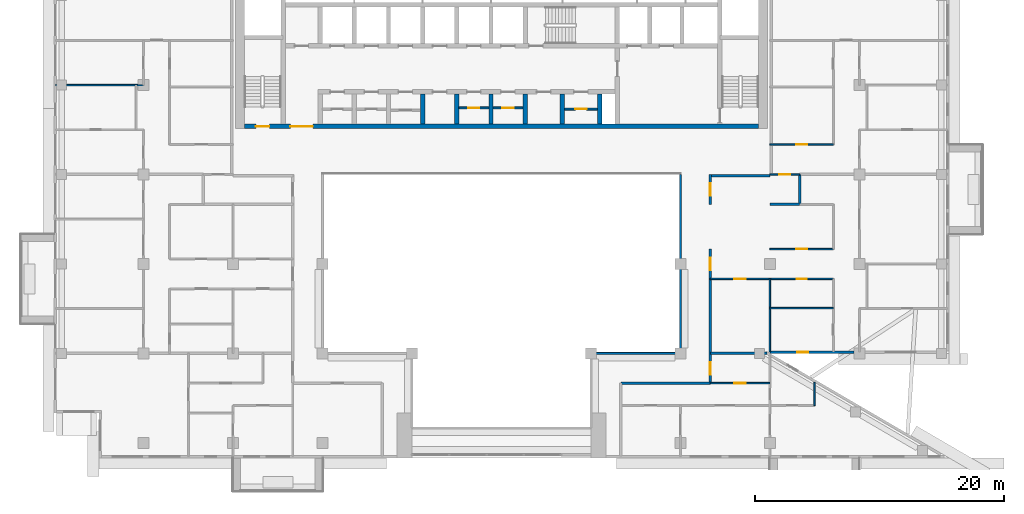
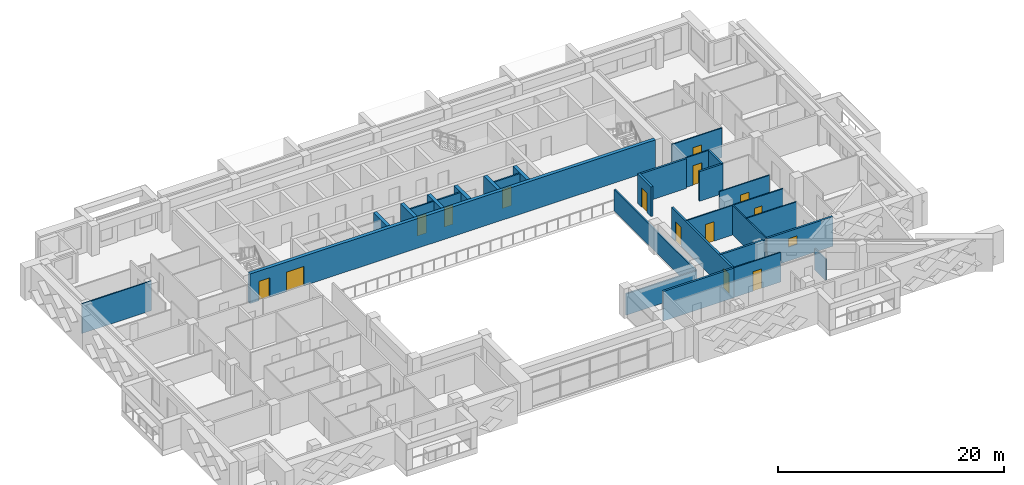
# One storey, part 9 of 20: 29 walls, 14 doors, 1 window, 15 openings.
"""IFC4 building model written with IfcOpenShell, lengths in metres."""

from ifc_helpers import new_model, si_unit, direction, frame, frame_2d, origin, place, context, subcontext, project, spatial, rectangle, extrude, material, layer, layer_set, type_object, element, fill, save


model = new_model("IFC4")

# Units and contexts
model_context = context("Model", 3, precision=1e-05, world=origin(), true_north=direction((0.0, 1.0)))
body_context = subcontext(model_context, "Body", "Model", "MODEL_VIEW")
ifc_project = project(units=[si_unit("LENGTHUNIT", "METRE"), si_unit("AREAUNIT", "SQUARE_METRE"), si_unit("VOLUMEUNIT", "CUBIC_METRE"), si_unit("PLANEANGLEUNIT", "RADIAN"), si_unit("MASSUNIT", "GRAM", prefix="KILO")], contexts=[model_context])

# Site, building, storey
site_placement = place(None, origin())
site = spatial("IfcSite", under=ifc_project, at=site_placement, CompositionType="ELEMENT")
building_placement = place(site_placement, origin())
building = spatial("IfcBuilding", under=site, at=building_placement, Name="Saffron Iwan Residences", CompositionType="ELEMENT")
storey_placement = place(building_placement, frame((0.0, 0.0, 199.0)))
storey = spatial("IfcBuildingStorey", under=building, at=storey_placement, Name="L53", CompositionType="ELEMENT", Elevation=199.0)

# Walls
ifc_material_1 = material(Name="Fire-rated glazing", Category="glass")
ifc_layer_1 = layer(ifc_material_1, 0.14990234375)
ifc_layer_set_1 = layer_set([ifc_layer_1], Name="Fire-rated glazing")
wall_type_1 = type_object("IfcWallType", Name="Atrium glazed screen 150", PredefinedType="SOLIDWALL", material=ifc_layer_set_1)
wall_1_placement = place(storey_placement, frame((57.60009765625, 48.0, 0.0), z_axis=(0.0, 0.0, 1.0), x_axis=(1.0, 0.0, 0.0)))
element("IfcWall", 1, at=wall_1_placement, inside=storey, type_object=wall_type_1, Name="W-L53-SCREEN-h48-57.6", PredefinedType="SOLIDWALL", context=body_context, shape_type="SweptSolid", body=[
    extrude(rectangle(XDim=7.199951171875, YDim=0.14990234375, at=frame_2d((3.60009765625, 0.0))), origin(), (0.0, 0.0, 1.0), 2.300048828125),
])
wall_2_placement = place(storey_placement, frame((64.800048828125, 48.0, 0.0), z_axis=(0.0, 0.0, 1.0), x_axis=(0.0, 1.0, 0.0)))
element("IfcWall", 2, at=wall_2_placement, inside=storey, type_object=wall_type_1, Name="W-L53-SCREEN-v64.8-48", PredefinedType="SOLIDWALL", context=body_context, shape_type="SweptSolid", body=[
    extrude(rectangle(XDim=14.39990234375, YDim=0.14990234375, at=frame_2d((7.199951171875, 0.0))), origin(), (0.0, 0.0, 1.0), 2.300048828125),
])

# Wall, opening, door
ifc_material_2 = material(Name="Fire-rated plasterboard partition")
ifc_layer_2 = layer(ifc_material_2, 0.14990234375)
ifc_layer_set_2 = layer_set([ifc_layer_2], Name="Fire-rated plasterboard partition")
wall_type_2 = type_object("IfcWallType", Name="Core partition 150", PredefinedType="PARTITIONING", material=ifc_layer_set_2)
wall_3_placement = place(storey_placement, frame((46.97509765625, 67.759521484375, 0.0), z_axis=(0.0, 0.0, 1.0), x_axis=(1.0, 0.0, 0.0)))
wall_3 = element("IfcWall", 3, at=wall_3_placement, inside=storey, type_object=wall_type_2, Name="Core partition P04", PredefinedType="PARTITIONING", context=body_context, shape_type="SweptSolid", body=[
    extrude(rectangle(XDim=2.39990234375, YDim=0.14990234375, at=frame_2d((1.199951171875, 0.0))), origin(), (0.0, 0.0, 1.0), 3.199951171875),
])
opening_1_placement = place(wall_3_placement, frame((0.75, 0.0, 0.0)))
opening_1 = element("IfcOpeningElement", 4, at=opening_1_placement, cuts=wall_3, Name="Opening SB", PredefinedType="OPENING", context=body_context, shape_type="SweptSolid", body=[
    extrude(rectangle(XDim=0.89990234375, YDim=2.10009765625, at=frame_2d((0.449951171875, 1.050048828125))), frame((0.0, 0.0849609375, 0.0), z_axis=(0.0, -1.0, 0.0), x_axis=(1.0, 0.0, 0.0)), (0.0, 0.0, 1.0), 0.169921875),
])
ifc_material_3 = material(Name="Steel fire door", Category="steel")
door_type_1 = type_object("IfcDoorType", Name="Store door 900", OperationType="NOTDEFINED", PredefinedType="DOOR", material=ifc_material_3)
door_1_placement = place(opening_1_placement, origin())
door_1 = element("IfcDoor", 5, at=door_1_placement, inside=storey, type_object=door_type_1, Name="Door Tool store", OperationType="SINGLE_SWING_LEFT", OverallHeight=2.10009765625, OverallWidth=0.89990234375, PredefinedType="DOOR", context=body_context, shape_type="SweptSolid", body=[
    extrude(rectangle(XDim=0.89990234375, YDim=2.10009765625, at=frame_2d((0.449951171875, 1.050048828125))), frame((0.0, 0.02490234375, 0.0), z_axis=(0.0, -1.0, 0.0), x_axis=(1.0, 0.0, 0.0)), (0.0, 0.0, 1.0), 0.050048828125),
])
fill(opening_1, door_1)

wall_4_placement = place(storey_placement, frame((49.72509765625, 67.759521484375, 0.0), z_axis=(0.0, 0.0, 1.0), x_axis=(1.0, 0.0, 0.0)))
wall_4 = element("IfcWall", 6, at=wall_4_placement, inside=storey, type_object=wall_type_2, Name="Core partition P05", PredefinedType="PARTITIONING", context=body_context, shape_type="SweptSolid", body=[
    extrude(rectangle(XDim=2.39990234375, YDim=0.14990234375, at=frame_2d((1.199951171875, 0.0))), origin(), (0.0, 0.0, 1.0), 3.199951171875),
])
opening_2_placement = place(wall_4_placement, frame((0.75, 0.0, 0.0)))
opening_2 = element("IfcOpeningElement", 7, at=opening_2_placement, cuts=wall_4, Name="Opening SB", PredefinedType="OPENING", context=body_context, shape_type="SweptSolid", body=[
    extrude(rectangle(XDim=0.89990234375, YDim=2.10009765625, at=frame_2d((0.449951171875, 1.050048828125))), frame((0.0, 0.0849609375, 0.0), z_axis=(0.0, -1.0, 0.0), x_axis=(1.0, 0.0, 0.0)), (0.0, 0.0, 1.0), 0.169921875),
])
door_2_placement = place(opening_2_placement, origin())
door_2 = element("IfcDoor", 8, at=door_2_placement, inside=storey, type_object=door_type_1, Name="Door Cabling room", OperationType="SINGLE_SWING_RIGHT", OverallHeight=2.10009765625, OverallWidth=0.89990234375, PredefinedType="DOOR", context=body_context, shape_type="SweptSolid", body=[
    extrude(rectangle(XDim=0.89990234375, YDim=2.10009765625, at=frame_2d((0.449951171875, 1.050048828125))), frame((0.0, 0.02490234375, 0.0), z_axis=(0.0, -1.0, 0.0), x_axis=(1.0, 0.0, 0.0)), (0.0, 0.0, 1.0), 0.050048828125),
])
fill(opening_2, door_2)

wall_5_placement = place(storey_placement, frame((55.47509765625, 67.66259765625, 0.0), z_axis=(0.0, 0.0, 1.0), x_axis=(1.0, 0.0, 0.0)))
wall_5 = element("IfcWall", 9, at=wall_5_placement, inside=storey, type_object=wall_type_2, Name="Core partition P06", PredefinedType="PARTITIONING", context=body_context, shape_type="SweptSolid", body=[
    extrude(rectangle(XDim=2.64990234375, YDim=0.14990234375, at=frame_2d((1.324951171875, 0.0))), origin(), (0.0, 0.0, 1.0), 3.199951171875),
])
opening_3_placement = place(wall_5_placement, frame((0.875, 0.0, 0.0)))
opening_3 = element("IfcOpeningElement", 10, at=opening_3_placement, cuts=wall_5, Name="Opening SB", PredefinedType="OPENING", context=body_context, shape_type="SweptSolid", body=[
    extrude(rectangle(XDim=0.89990234375, YDim=2.10009765625, at=frame_2d((0.449951171875, 1.050048828125))), frame((0.0, 0.0849609375, 0.0), z_axis=(0.0, -1.0, 0.0), x_axis=(1.0, 0.0, 0.0)), (0.0, 0.0, 1.0), 0.169921875),
])
door_3_placement = place(opening_3_placement, origin())
door_3 = element("IfcDoor", 11, at=door_3_placement, inside=storey, type_object=door_type_1, Name="Door Records store", OperationType="SINGLE_SWING_LEFT", OverallHeight=2.10009765625, OverallWidth=0.89990234375, PredefinedType="DOOR", context=body_context, shape_type="SweptSolid", body=[
    extrude(rectangle(XDim=0.89990234375, YDim=2.10009765625, at=frame_2d((0.449951171875, 1.050048828125))), frame((0.0, 0.02490234375, 0.0), z_axis=(0.0, -1.0, 0.0), x_axis=(1.0, 0.0, 0.0)), (0.0, 0.0, 1.0), 0.050048828125),
])
fill(opening_3, door_3)

# Wall, opening, window
ifc_material_4 = material(Name="Concrete C40/50", Category="concrete")
ifc_layer_3 = layer(ifc_material_4, 0.199951171875)
ifc_layer_set_3 = layer_set([ifc_layer_3], Name="Concrete C40/50")
wall_type_3 = type_object("IfcWallType", Name="EXTERNAL WALL 200", PredefinedType="SOLIDWALL", material=ifc_layer_set_3)
wall_6_placement = place(storey_placement, frame((71.989990234375, 48.10009765625, 0.0), z_axis=(0.0, 0.0, 1.0), x_axis=(1.0, 0.0, 0.0)))
wall_6 = element("IfcWall", 12, at=wall_6_placement, inside=storey, type_object=wall_type_3, Name="External wall L53 F1.0", PredefinedType="SOLIDWALL", context=body_context, shape_type="SweptSolid", body=[
    extrude(rectangle(XDim=6.760009765625, YDim=0.199951171875, at=frame_2d((3.3798828125, 0.0))), origin(), (0.0, 0.0, 1.0), 3.199951171875),
])
opening_4_placement = place(wall_6_placement, frame((2.204833984375, 0.0, 1.5)))
opening_4 = element("IfcOpeningElement", 13, at=opening_4_placement, cuts=wall_6, Name="Opening W6", PredefinedType="OPENING", context=body_context, shape_type="SweptSolid", body=[
    extrude(rectangle(XDim=0.89990234375, YDim=0.89990234375, at=frame_2d((0.449951171875, 0.449951171875))), frame((0.0, 0.10986328125, 0.0), z_axis=(0.0, -1.0, 0.0), x_axis=(1.0, 0.0, 0.0)), (0.0, 0.0, 1.0), 0.219970703125),
])
ifc_material_5 = material(Name="Clear glass, laminated double glazed", Category="glass")
window_type = type_object("IfcWindowType", Name="WINDOW 900 x 900 BATH", PartitioningType="SINGLE_PANEL", PredefinedType="WINDOW", material=ifc_material_5)
window_placement = place(opening_4_placement, origin())
window = element("IfcWindow", 14, at=window_placement, inside=storey, type_object=window_type, Name="Window L53 F1.0", OverallHeight=0.89990234375, OverallWidth=0.89990234375, PartitioningType="SINGLE_PANEL", PredefinedType="WINDOW", context=body_context, shape_type="SweptSolid", body=[
    extrude(rectangle(XDim=0.89990234375, YDim=0.89990234375, at=frame_2d((0.449951171875, 0.449951171875))), frame((0.0, 0.030029296875, 0.0), z_axis=(0.0, -1.0, 0.0), x_axis=(1.0, 0.0, 0.0)), (0.0, 0.0, 1.0), 0.06005859375),
])
fill(opening_4, window)

# Walls
ifc_material_6 = material(Name="Fire-rated gypsum board wall")
ifc_layer_4 = layer(ifc_material_6, 0.199951171875)
ifc_layer_set_4 = layer_set([ifc_layer_4], Name="Fire-rated gypsum board wall")
wall_type_4 = type_object("IfcWallType", Name="Flat demising wall 200", PredefinedType="SOLIDWALL", material=ifc_layer_set_4)
wall_7_placement = place(storey_placement, frame((67.199951171875, 48.0, 0.0), z_axis=(0.0, 0.0, 1.0), x_axis=(1.0, 0.0, 0.0)))
element("IfcWall", 15, at=wall_7_placement, inside=storey, type_object=wall_type_4, Name="W-L53-DEMISE-h48-67.2", PredefinedType="SOLIDWALL", context=body_context, shape_type="SweptSolid", body=[
    extrude(rectangle(XDim=4.552001953125, YDim=0.199951171875, at=frame_2d((2.27587890625, 0.0))), origin(), (0.0, 0.0, 1.0), 3.199951171875),
])
for number, where, z_axis, x_axis, name in (
    (16, (72.0, 60.0, 0.0), (0.0, 0.0, 1.0), (1.0, 0.0, 0.0), "W-L53-DEMISE-h60-72"),
    (17, (74.39990234375, 60.0, 0.0), (0.0, 0.0, 1.0), (0.0, 1.0, 0.0), "W-L53-DEMISE-v74.4-60"),
):
    element("IfcWall", number, at=place(storey_placement, frame(where, z_axis=z_axis, x_axis=x_axis)), inside=storey, type_object=wall_type_4, Name=name, PredefinedType="SOLIDWALL", context=body_context, shape_type="SweptSolid", body=[
        extrude(rectangle(XDim=2.39990234375, YDim=0.199951171875, at=frame_2d((1.199951171875, 0.0))), origin(), (0.0, 0.0, 1.0), 3.199951171875),
    ])

# Wall, opening, door
ifc_material_7 = material(Name="Gypsum board partition")
ifc_layer_5 = layer(ifc_material_7, 0.1201171875)
ifc_layer_set_5 = layer_set([ifc_layer_5], Name="Gypsum board partition")
wall_type_5 = type_object("IfcWallType", Name="Flat partition 120", PredefinedType="PARTITIONING", material=ifc_layer_set_5)
wall_8_placement = place(storey_placement, frame((67.199951171875, 45.60009765625, 0.0), z_axis=(0.0, 0.0, 1.0), x_axis=(1.0, 0.0, 0.0)))
wall_8 = element("IfcWall", 18, at=wall_8_placement, inside=storey, type_object=wall_type_5, Name="W-L53-PART-h45.6-67.2", PredefinedType="PARTITIONING", context=body_context, shape_type="SweptSolid", body=[
    extrude(rectangle(XDim=4.800048828125, YDim=0.1201171875, at=frame_2d((2.39990234375, 0.0))), origin(), (0.0, 0.0, 1.0), 3.199951171875),
])
opening_5_placement = place(wall_8_placement, frame((1.949951171875, 0.0, 0.0)))
opening_5 = element("IfcOpeningElement", 19, at=opening_5_placement, cuts=wall_8, Name="Opening FD2", PredefinedType="OPENING", context=body_context, shape_type="SweptSolid", body=[
    extrude(rectangle(XDim=0.89990234375, YDim=2.10009765625, at=frame_2d((0.449951171875, 1.050048828125))), frame((0.0, 0.070068359375, 0.0), z_axis=(0.0, -1.0, 0.0), x_axis=(1.0, 0.0, 0.0)), (0.0, 0.0, 1.0), 0.14013671875),
])
ifc_material_8 = material(Name="Timber door", Category="wood")
door_type_2 = type_object("IfcDoorType", Name="Flat door 900", OperationType="NOTDEFINED", PredefinedType="DOOR", material=ifc_material_8)
door_4_placement = place(opening_5_placement, origin())
door_4 = element("IfcDoor", 20, at=door_4_placement, inside=storey, type_object=door_type_2, Name="Door L53-041", OperationType="SINGLE_SWING_RIGHT", OverallHeight=2.10009765625, OverallWidth=0.89990234375, PredefinedType="DOOR", context=body_context, shape_type="SweptSolid", body=[
    extrude(rectangle(XDim=0.89990234375, YDim=2.10009765625, at=frame_2d((0.449951171875, 1.050048828125))), frame((0.0, 0.02490234375, 0.0), z_axis=(0.0, -1.0, 0.0), x_axis=(1.0, 0.0, 0.0)), (0.0, 0.0, 1.0), 0.050048828125),
])
fill(opening_5, door_4)

# Wall
wall_9_placement = place(storey_placement, frame((72.0, 51.64990234375, 0.0), z_axis=(0.0, 0.0, 1.0), x_axis=(1.0, 0.0, 0.0)))
element("IfcWall", 21, at=wall_9_placement, inside=storey, type_object=wall_type_5, Name="W-L53-PART-h51.65-72", PredefinedType="PARTITIONING", context=body_context, shape_type="SweptSolid", body=[
    extrude(rectangle(XDim=5.10009765625, YDim=0.1201171875, at=frame_2d((2.550048828125, 0.0))), origin(), (0.0, 0.0, 1.0), 3.199951171875),
])

# Wall, openings, doors
wall_10_placement = place(storey_placement, frame((67.199951171875, 54.0, 0.0), z_axis=(0.0, 0.0, 1.0), x_axis=(1.0, 0.0, 0.0)))
wall_10 = element("IfcWall", 22, at=wall_10_placement, inside=storey, type_object=wall_type_5, Name="W-L53-PART-h54-67.2", PredefinedType="PARTITIONING", context=body_context, shape_type="SweptSolid", body=[
    extrude(rectangle(XDim=9.900146484375, YDim=0.1201171875, at=frame_2d((4.9501953125, 0.0))), origin(), (0.0, 0.0, 1.0), 3.199951171875),
])
opening_6_placement = place(wall_10_placement, frame((6.949951171875, 0.0, 0.0)))
opening_6 = element("IfcOpeningElement", 23, at=opening_6_placement, cuts=wall_10, Name="Opening FD3", PredefinedType="OPENING", context=body_context, shape_type="SweptSolid", body=[
    extrude(rectangle(XDim=0.800048828125, YDim=2.10009765625, at=frame_2d((0.39990234375, 1.050048828125))), frame((0.0, 0.070068359375, 0.0), z_axis=(0.0, -1.0, 0.0), x_axis=(1.0, 0.0, 0.0)), (0.0, 0.0, 1.0), 0.14013671875),
])
opening_7_placement = place(wall_10_placement, frame((1.949951171875, 0.0, 0.0)))
opening_7 = element("IfcOpeningElement", 24, at=opening_7_placement, cuts=wall_10, Name="Opening FD2", PredefinedType="OPENING", context=body_context, shape_type="SweptSolid", body=[
    extrude(rectangle(XDim=0.89990234375, YDim=2.10009765625, at=frame_2d((0.449951171875, 1.050048828125))), frame((0.0, 0.070068359375, 0.0), z_axis=(0.0, -1.0, 0.0), x_axis=(1.0, 0.0, 0.0)), (0.0, 0.0, 1.0), 0.14013671875),
])
door_type_3 = type_object("IfcDoorType", Name="Bathroom door 800", OperationType="NOTDEFINED", PredefinedType="DOOR", material=ifc_material_8)
door_5_placement = place(opening_6_placement, origin())
door_5 = element("IfcDoor", 25, at=door_5_placement, inside=storey, type_object=door_type_3, Name="Door L53-021", OperationType="SINGLE_SWING_LEFT", OverallHeight=2.10009765625, OverallWidth=0.800048828125, PredefinedType="DOOR", context=body_context, shape_type="SweptSolid", body=[
    extrude(rectangle(XDim=0.800048828125, YDim=2.10009765625, at=frame_2d((0.39990234375, 1.050048828125))), frame((0.0, 0.02490234375, 0.0), z_axis=(0.0, -1.0, 0.0), x_axis=(1.0, 0.0, 0.0)), (0.0, 0.0, 1.0), 0.050048828125),
])
fill(opening_6, door_5)
door_6_placement = place(opening_7_placement, origin())
door_6 = element("IfcDoor", 26, at=door_6_placement, inside=storey, type_object=door_type_2, Name="Door L53-023", OperationType="SINGLE_SWING_RIGHT", OverallHeight=2.10009765625, OverallWidth=0.89990234375, PredefinedType="DOOR", context=body_context, shape_type="SweptSolid", body=[
    extrude(rectangle(XDim=0.89990234375, YDim=2.10009765625, at=frame_2d((0.449951171875, 1.050048828125))), frame((0.0, 0.02490234375, 0.0), z_axis=(0.0, -1.0, 0.0), x_axis=(1.0, 0.0, 0.0)), (0.0, 0.0, 1.0), 0.050048828125),
])
fill(opening_7, door_6)

# Wall, opening, door
wall_11_placement = place(storey_placement, frame((72.0, 56.39990234375, 0.0), z_axis=(0.0, 0.0, 1.0), x_axis=(1.0, 0.0, 0.0)))
wall_11 = element("IfcWall", 27, at=wall_11_placement, inside=storey, type_object=wall_type_5, Name="W-L53-PART-h56.4-72", PredefinedType="PARTITIONING", context=body_context, shape_type="SweptSolid", body=[
    extrude(rectangle(XDim=5.10009765625, YDim=0.1201171875, at=frame_2d((2.550048828125, 0.0))), origin(), (0.0, 0.0, 1.0), 3.199951171875),
])
opening_8_placement = place(wall_11_placement, frame((2.10009765625, 0.0, 0.0)))
opening_8 = element("IfcOpeningElement", 28, at=opening_8_placement, cuts=wall_11, Name="Opening FD2", PredefinedType="OPENING", context=body_context, shape_type="SweptSolid", body=[
    extrude(rectangle(XDim=0.89990234375, YDim=2.10009765625, at=frame_2d((0.449951171875, 1.050048828125))), frame((0.0, 0.070068359375, 0.0), z_axis=(0.0, -1.0, 0.0), x_axis=(1.0, 0.0, 0.0)), (0.0, 0.0, 1.0), 0.14013671875),
])
door_7_placement = place(opening_8_placement, origin())
door_7 = element("IfcDoor", 29, at=door_7_placement, inside=storey, type_object=door_type_2, Name="Door L53-022", OperationType="SINGLE_SWING_LEFT", OverallHeight=2.10009765625, OverallWidth=0.89990234375, PredefinedType="DOOR", context=body_context, shape_type="SweptSolid", body=[
    extrude(rectangle(XDim=0.89990234375, YDim=2.10009765625, at=frame_2d((0.449951171875, 1.050048828125))), frame((0.0, 0.02490234375, 0.0), z_axis=(0.0, -1.0, 0.0), x_axis=(1.0, 0.0, 0.0)), (0.0, 0.0, 1.0), 0.050048828125),
])
fill(opening_8, door_7)

wall_12_placement = place(storey_placement, frame((72.0, 62.39990234375, 0.0), z_axis=(0.0, 0.0, 1.0), x_axis=(1.0, 0.0, 0.0)))
wall_12 = element("IfcWall", 30, at=wall_12_placement, inside=storey, type_object=wall_type_5, Name="W-L53-PART-h62.4-72", PredefinedType="PARTITIONING", context=body_context, shape_type="SweptSolid", body=[
    extrude(rectangle(XDim=2.39990234375, YDim=0.1201171875, at=frame_2d((1.199951171875, 0.0))), origin(), (0.0, 0.0, 1.0), 3.199951171875),
])
opening_9_placement = place(wall_12_placement, frame((0.75, 0.0, 0.0)))
opening_9 = element("IfcOpeningElement", 31, at=opening_9_placement, cuts=wall_12, Name="Opening FD2", PredefinedType="OPENING", context=body_context, shape_type="SweptSolid", body=[
    extrude(rectangle(XDim=0.89990234375, YDim=2.10009765625, at=frame_2d((0.449951171875, 1.050048828125))), frame((0.0, 0.070068359375, 0.0), z_axis=(0.0, -1.0, 0.0), x_axis=(1.0, 0.0, 0.0)), (0.0, 0.0, 1.0), 0.14013671875),
])
door_8_placement = place(opening_9_placement, origin())
door_8 = element("IfcDoor", 32, at=door_8_placement, inside=storey, type_object=door_type_2, Name="Door L53-032", OperationType="SINGLE_SWING_RIGHT", OverallHeight=2.10009765625, OverallWidth=0.89990234375, PredefinedType="DOOR", context=body_context, shape_type="SweptSolid", body=[
    extrude(rectangle(XDim=0.89990234375, YDim=2.10009765625, at=frame_2d((0.449951171875, 1.050048828125))), frame((0.0, 0.02490234375, 0.0), z_axis=(0.0, -1.0, 0.0), x_axis=(1.0, 0.0, 0.0)), (0.0, 0.0, 1.0), 0.050048828125),
])
fill(opening_9, door_8)

wall_13_placement = place(storey_placement, frame((72.0, 64.800048828125, 0.0), z_axis=(0.0, 0.0, 1.0), x_axis=(1.0, 0.0, 0.0)))
wall_13 = element("IfcWall", 33, at=wall_13_placement, inside=storey, type_object=wall_type_5, Name="W-L53-PART-h64.8-72", PredefinedType="PARTITIONING", context=body_context, shape_type="SweptSolid", body=[
    extrude(rectangle(XDim=5.10009765625, YDim=0.1201171875, at=frame_2d((2.550048828125, 0.0))), origin(), (0.0, 0.0, 1.0), 3.199951171875),
])
opening_10_placement = place(wall_13_placement, frame((2.10009765625, 0.0, 0.0)))
opening_10 = element("IfcOpeningElement", 34, at=opening_10_placement, cuts=wall_13, Name="Opening FD2", PredefinedType="OPENING", context=body_context, shape_type="SweptSolid", body=[
    extrude(rectangle(XDim=0.89990234375, YDim=2.10009765625, at=frame_2d((0.449951171875, 1.050048828125))), frame((0.0, 0.070068359375, 0.0), z_axis=(0.0, -1.0, 0.0), x_axis=(1.0, 0.0, 0.0)), (0.0, 0.0, 1.0), 0.14013671875),
])
door_9_placement = place(opening_10_placement, origin())
door_9 = element("IfcDoor", 35, at=door_9_placement, inside=storey, type_object=door_type_2, Name="Door L53-038", OperationType="SINGLE_SWING_RIGHT", OverallHeight=2.10009765625, OverallWidth=0.89990234375, PredefinedType="DOOR", context=body_context, shape_type="SweptSolid", body=[
    extrude(rectangle(XDim=0.89990234375, YDim=2.10009765625, at=frame_2d((0.449951171875, 1.050048828125))), frame((0.0, 0.02490234375, 0.0), z_axis=(0.0, -1.0, 0.0), x_axis=(1.0, 0.0, 0.0)), (0.0, 0.0, 1.0), 0.050048828125),
])
fill(opening_10, door_9)

# Walls
wall_14_placement = place(storey_placement, frame((14.52490234375, 69.60009765625, 0.0), z_axis=(0.0, 0.0, 1.0), x_axis=(1.0, 0.0, 0.0)))
element("IfcWall", 36, at=wall_14_placement, inside=storey, type_object=wall_type_5, Name="W-L53-PART-h69.6-14.525", PredefinedType="PARTITIONING", context=body_context, shape_type="SweptSolid", body=[
    extrude(rectangle(XDim=7.0751953125, YDim=0.1201171875, at=frame_2d((3.53759765625, 0.0))), origin(), (0.0, 0.0, 1.0), 3.199951171875),
])
wall_15_placement = place(storey_placement, frame((72.0, 48.125, 0.0), z_axis=(0.0, 0.0, 1.0), x_axis=(0.0, 1.0, 0.0)))
element("IfcWall", 37, at=wall_15_placement, inside=storey, type_object=wall_type_5, Name="W-L53-PART-v72-48.125", PredefinedType="PARTITIONING", context=body_context, shape_type="SweptSolid", body=[
    extrude(rectangle(XDim=5.875, YDim=0.1201171875, at=frame_2d((2.9375, 0.0))), origin(), (0.0, 0.0, 1.0), 3.199951171875),
])
wall_16_placement = place(storey_placement, frame((75.60009765625, 43.800048828125, 0.0), z_axis=(0.0, 0.0, 1.0), x_axis=(0.0, 1.0, 0.0)))
element("IfcWall", 38, at=wall_16_placement, inside=storey, type_object=wall_type_5, Name="W-L53-PART-v75.6-43.8", PredefinedType="PARTITIONING", context=body_context, shape_type="SweptSolid", body=[
    extrude(rectangle(XDim=1.868408203125, YDim=0.1201171875, at=frame_2d((0.93408203125, 0.0))), origin(), (0.0, 0.0, 1.0), 2.300048828125),
])
ifc_layer_6 = layer(ifc_material_6, 0.199951171875)
ifc_layer_set_6 = layer_set([ifc_layer_6], Name="Fire-rated gypsum board wall")
wall_type_6 = type_object("IfcWallType", Name="Gallery wall 200", PredefinedType="SOLIDWALL", material=ifc_layer_set_6)
wall_17_placement = place(storey_placement, frame((60.0, 45.60009765625, 0.0), z_axis=(0.0, 0.0, 1.0), x_axis=(1.0, 0.0, 0.0)))
element("IfcWall", 39, at=wall_17_placement, inside=storey, type_object=wall_type_6, Name="W-L53-CORR-h45.6-60", PredefinedType="SOLIDWALL", context=body_context, shape_type="SweptSolid", body=[
    extrude(rectangle(XDim=7.199951171875, YDim=0.199951171875, at=frame_2d((3.60009765625, 0.0))), origin(), (0.0, 0.0, 1.0), 3.199951171875),
])
wall_18_placement = place(storey_placement, frame((67.199951171875, 62.300048828125, 0.0), z_axis=(0.0, 0.0, 1.0), x_axis=(1.0, 0.0, 0.0)))
element("IfcWall", 40, at=wall_18_placement, inside=storey, type_object=wall_type_6, Name="W-L53-CORR-h62.4-67.2", PredefinedType="SOLIDWALL", context=body_context, shape_type="SweptSolid", body=[
    extrude(rectangle(XDim=4.800048828125, YDim=0.199951171875, at=frame_2d((2.39990234375, 0.0))), origin(), (0.0, 0.0, 1.0), 3.199951171875),
])

# Wall, openings, doors
wall_19_placement = place(storey_placement, frame((67.199951171875, 45.60009765625, 0.0), z_axis=(0.0, 0.0, 1.0), x_axis=(0.0, 1.0, 0.0)))
wall_19 = element("IfcWall", 41, at=wall_19_placement, inside=storey, type_object=wall_type_6, Name="W-L53-CORR-v67.2-45.6", PredefinedType="SOLIDWALL", context=body_context, shape_type="SweptSolid", body=[
    extrude(rectangle(XDim=10.7998046875, YDim=0.199951171875, at=frame_2d((5.39990234375, 0.0))), origin(), (0.0, 0.0, 1.0), 3.199951171875),
])
opening_11_placement = place(wall_19_placement, frame((9.10009765625, 0.0, 0.0)))
opening_11 = element("IfcOpeningElement", 42, at=opening_11_placement, cuts=wall_19, Name="Opening FD1", PredefinedType="OPENING", context=body_context, shape_type="SweptSolid", body=[
    extrude(rectangle(XDim=1.0, YDim=2.10009765625, at=frame_2d((0.5, 1.050048828125))), frame((0.0, 0.10986328125, 0.0), z_axis=(0.0, -1.0, 0.0), x_axis=(1.0, 0.0, 0.0)), (0.0, 0.0, 1.0), 0.219970703125),
])
opening_12_placement = place(wall_19_placement, frame((0.699951171875, 0.0, 0.0)))
opening_12 = element("IfcOpeningElement", 43, at=opening_12_placement, cuts=wall_19, Name="Opening FD5", PredefinedType="OPENING", context=body_context, shape_type="SweptSolid", body=[
    extrude(rectangle(XDim=1.0, YDim=2.10009765625, at=frame_2d((0.5, 1.050048828125))), frame((0.0, 0.10986328125, 0.0), z_axis=(0.0, -1.0, 0.0), x_axis=(1.0, 0.0, 0.0)), (0.0, 0.0, 1.0), 0.219970703125),
])
ifc_material_9 = material(Name="Fire-rated timber door", Category="wood")
door_type_4 = type_object("IfcDoorType", Name="FD30S flat entrance door 1000", OperationType="NOTDEFINED", PredefinedType="DOOR", material=ifc_material_9)
door_10_placement = place(opening_11_placement, origin())
door_10 = element("IfcDoor", 44, at=door_10_placement, inside=storey, type_object=door_type_4, Name="Door L53-016", OperationType="SINGLE_SWING_LEFT", OverallHeight=2.10009765625, OverallWidth=1.0, PredefinedType="DOOR", context=body_context, shape_type="SweptSolid", body=[
    extrude(rectangle(XDim=1.0, YDim=2.10009765625, at=frame_2d((0.5, 1.050048828125))), frame((0.0, 0.02490234375, 0.0), z_axis=(0.0, -1.0, 0.0), x_axis=(1.0, 0.0, 0.0)), (0.0, 0.0, 1.0), 0.050048828125),
])
fill(opening_11, door_10)
door_type_5 = type_object("IfcDoorType", Name="Lobby door 1000", OperationType="NOTDEFINED", PredefinedType="DOOR", material=ifc_material_9)
door_11_placement = place(opening_12_placement, origin())
door_11 = element("IfcDoor", 45, at=door_11_placement, inside=storey, type_object=door_type_5, Name="Door L53-042", OperationType="SINGLE_SWING_LEFT", OverallHeight=2.10009765625, OverallWidth=1.0, PredefinedType="DOOR", context=body_context, shape_type="SweptSolid", body=[
    extrude(rectangle(XDim=1.0, YDim=2.10009765625, at=frame_2d((0.5, 1.050048828125))), frame((0.0, 0.02490234375, 0.0), z_axis=(0.0, -1.0, 0.0), x_axis=(1.0, 0.0, 0.0)), (0.0, 0.0, 1.0), 0.050048828125),
])
fill(opening_12, door_11)

# Wall, opening, door
wall_20_placement = place(storey_placement, frame((67.199951171875, 60.0, 0.0), z_axis=(0.0, 0.0, 1.0), x_axis=(0.0, 1.0, 0.0)))
wall_20 = element("IfcWall", 46, at=wall_20_placement, inside=storey, type_object=wall_type_6, Name="W-L53-CORR-v67.2-60", PredefinedType="SOLIDWALL", context=body_context, shape_type="SweptSolid", body=[
    extrude(rectangle(XDim=2.39990234375, YDim=0.199951171875, at=frame_2d((1.199951171875, 0.0))), origin(), (0.0, 0.0, 1.0), 3.199951171875),
])
opening_13_placement = place(wall_20_placement, frame((0.699951171875, 0.0, 0.0)))
opening_13 = element("IfcOpeningElement", 47, at=opening_13_placement, cuts=wall_20, Name="Opening FD5", PredefinedType="OPENING", context=body_context, shape_type="SweptSolid", body=[
    extrude(rectangle(XDim=1.0, YDim=2.10009765625, at=frame_2d((0.5, 1.050048828125))), frame((0.0, 0.10986328125, 0.0), z_axis=(0.0, -1.0, 0.0), x_axis=(1.0, 0.0, 0.0)), (0.0, 0.0, 1.0), 0.219970703125),
])
door_12_placement = place(opening_13_placement, origin())
door_12 = element("IfcDoor", 48, at=door_12_placement, inside=storey, type_object=door_type_5, Name="Door L53-033", OperationType="SINGLE_SWING_LEFT", OverallHeight=2.10009765625, OverallWidth=1.0, PredefinedType="DOOR", context=body_context, shape_type="SweptSolid", body=[
    extrude(rectangle(XDim=1.0, YDim=2.10009765625, at=frame_2d((0.5, 1.050048828125))), frame((0.0, 0.02490234375, 0.0), z_axis=(0.0, -1.0, 0.0), x_axis=(1.0, 0.0, 0.0)), (0.0, 0.0, 1.0), 0.050048828125),
])
fill(opening_13, door_12)

# Wall, openings, doors
ifc_material_10 = material(Name="Concrete C50/60", Category="concrete")
ifc_layer_7 = layer(ifc_material_10, 0.35009765625)
ifc_layer_set_7 = layer_set([ifc_layer_7], Name="Concrete C50/60")
wall_type_7 = type_object("IfcWallType", Name="WALL CORE 350 C50/60 3200 HIGH", PredefinedType="SHEAR", material=ifc_layer_set_7)
wall_21_placement = place(storey_placement, frame((29.699951171875, 66.27490234375, 0.0), z_axis=(0.0, 0.0, 1.0), x_axis=(1.0, 0.0, 0.0)))
wall_21 = element("IfcWall", 49, at=wall_21_placement, inside=storey, type_object=wall_type_7, Name="Core wall", PredefinedType="SHEAR", context=body_context, shape_type="SweptSolid", body=[
    extrude(rectangle(XDim=41.400146484375, YDim=0.35009765625, at=frame_2d((20.7001953125, 0.0))), origin(), (0.0, 0.0, 1.0), 3.199951171875),
])
opening_14_placement = place(wall_21_placement, frame((0.925048828125, 0.0, 0.0)))
opening_14 = element("IfcOpeningElement", 50, at=opening_14_placement, cuts=wall_21, Name="Opening SD", PredefinedType="OPENING", context=body_context, shape_type="SweptSolid", body=[
    extrude(rectangle(XDim=1.10009765625, YDim=2.10009765625, at=frame_2d((0.550048828125, 1.050048828125))), frame((0.0, 0.18505859375, 0.0), z_axis=(0.0, -1.0, 0.0), x_axis=(1.0, 0.0, 0.0)), (0.0, 0.0, 1.0), 0.3701171875),
])
opening_15_placement = place(wall_21_placement, frame((3.71240234375, 0.0, 0.0)))
opening_15 = element("IfcOpeningElement", 51, at=opening_15_placement, cuts=wall_21, Name="Opening DD", PredefinedType="OPENING", context=body_context, shape_type="SweptSolid", body=[
    extrude(rectangle(XDim=1.800048828125, YDim=2.10009765625, at=frame_2d((0.89990234375, 1.050048828125))), frame((0.0, 0.18505859375, 0.0), z_axis=(0.0, -1.0, 0.0), x_axis=(1.0, 0.0, 0.0)), (0.0, 0.0, 1.0), 0.3701171875),
])
door_type_6 = type_object("IfcDoorType", Name="Lobby double door 1800", OperationType="DOUBLE_DOOR_SINGLE_SWING", PredefinedType="DOOR", material=ifc_material_3)
door_13_placement = place(opening_15_placement, origin())
door_13 = element("IfcDoor", 52, at=door_13_placement, inside=storey, type_object=door_type_6, Name="Lobby doors", OperationType="DOUBLE_DOOR_SINGLE_SWING", OverallHeight=2.10009765625, OverallWidth=1.800048828125, PredefinedType="DOOR", context=body_context, shape_type="SweptSolid", body=[
    extrude(rectangle(XDim=1.800048828125, YDim=2.10009765625, at=frame_2d((0.89990234375, 1.050048828125))), frame((0.0, 0.02490234375, 0.0), z_axis=(0.0, -1.0, 0.0), x_axis=(1.0, 0.0, 0.0)), (0.0, 0.0, 1.0), 0.050048828125),
])
fill(opening_15, door_13)
door_type_7 = type_object("IfcDoorType", Name="Stair door 1100", OperationType="NOTDEFINED", PredefinedType="DOOR", material=ifc_material_3)
door_14_placement = place(opening_14_placement, origin())
door_14 = element("IfcDoor", 53, at=door_14_placement, inside=storey, type_object=door_type_7, Name="Stair door ST-W", OperationType="SINGLE_SWING_LEFT", OverallHeight=2.10009765625, OverallWidth=1.10009765625, PredefinedType="DOOR", context=body_context, shape_type="SweptSolid", body=[
    extrude(rectangle(XDim=1.10009765625, YDim=2.10009765625, at=frame_2d((0.550048828125, 1.050048828125))), frame((0.0, 0.02490234375, 0.0), z_axis=(0.0, -1.0, 0.0), x_axis=(1.0, 0.0, 0.0)), (0.0, 0.0, 1.0), 0.050048828125),
])
fill(opening_14, door_14)

# Walls
for number, where, z_axis, x_axis, name in (
    (54, (44.050048828125, 66.449951171875, 0.0), (0.0, 0.0, 1.0), (0.0, 1.0, 0.0), "Core wall"),
    (55, (46.800048828125, 66.449951171875, 0.0), (0.0, 0.0, 1.0), (0.0, 1.0, 0.0), "Core wall"),
    (56, (49.550048828125, 66.449951171875, 0.0), (0.0, 0.0, 1.0), (0.0, 1.0, 0.0), "Core wall"),
    (57, (52.300048828125, 66.449951171875, 0.0), (0.0, 0.0, 1.0), (0.0, 1.0, 0.0), "Core wall"),
    (58, (55.300048828125, 66.449951171875, 0.0), (0.0, 0.0, 1.0), (0.0, 1.0, 0.0), "Core wall"),
    (59, (58.300048828125, 66.449951171875, 0.0), (0.0, 0.0, 1.0), (0.0, 1.0, 0.0), "Core wall"),
):
    element("IfcWall", number, at=place(storey_placement, frame(where, z_axis=z_axis, x_axis=x_axis)), inside=storey, type_object=wall_type_7, Name=name, PredefinedType="SHEAR", context=body_context, shape_type="SweptSolid", body=[
        extrude(rectangle(XDim=2.425048828125, YDim=0.35009765625, at=frame_2d((1.21240234375, 0.0))), origin(), (0.0, 0.0, 1.0), 3.199951171875),
    ])

save(model, "model.ifc")
